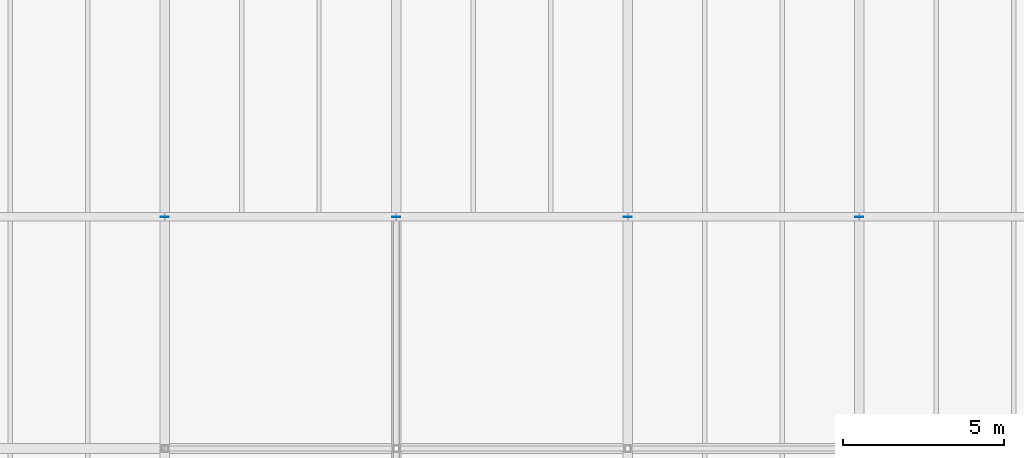
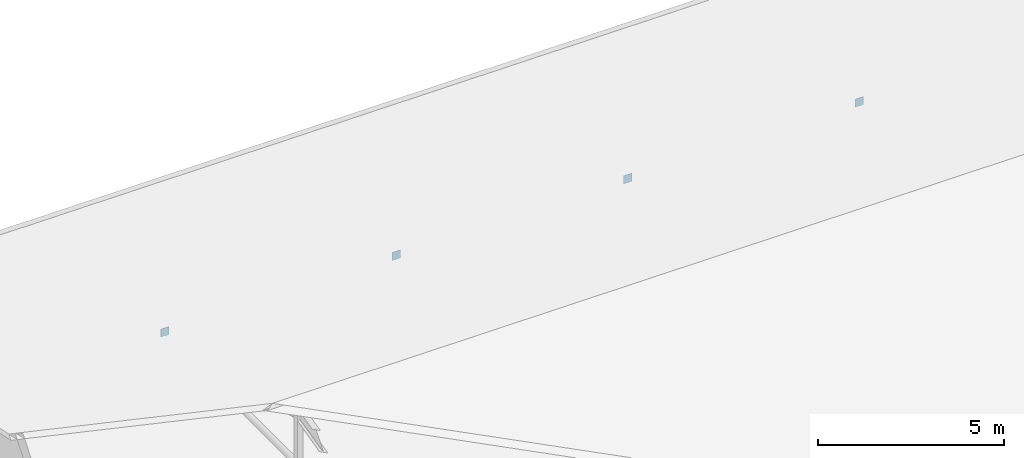
# One storey, part 41 of 66: 4 plates.
"""IFC4 building model written with IfcOpenShell, lengths in metres."""

from ifc_helpers import new_model, si_unit, direction, frame, origin, origin_2d, place, context, subcontext, project, spatial, rectangle, extrude, material, layer, layer_set, type_object, element, save


model = new_model("IFC4")

# Units and contexts
model_context = context("Model", 3, precision=1e-05, world=origin(), true_north=direction((0.0, 1.0)))
body_context = subcontext(model_context, "Body", "Model", "MODEL_VIEW")
ifc_project = project(units=[si_unit("LENGTHUNIT", "METRE"), si_unit("AREAUNIT", "SQUARE_METRE"), si_unit("VOLUMEUNIT", "CUBIC_METRE"), si_unit("PLANEANGLEUNIT", "RADIAN"), si_unit("MASSUNIT", "GRAM", prefix="KILO")], contexts=[model_context])

# Site, building, storey
site_placement = place(None, origin())
site = spatial("IfcSite", under=ifc_project, at=site_placement, CompositionType="ELEMENT")
building_placement = place(site_placement, origin())
building = spatial("IfcBuilding", under=site, at=building_placement, Name="Narikvali Park Central Library", CompositionType="ELEMENT")
storey_placement = place(building_placement, frame((0.0, 0.0, 18.60009765625)))
storey = spatial("IfcBuildingStorey", under=building, at=storey_placement, Name="L04", CompositionType="ELEMENT", Elevation=18.60009765625)

# Plates
ifc_material = material(Name="Steel S355", Category="steel")
ifc_layer = layer(ifc_material, 0.013916015625, Name="Steel S355")
ifc_layer_set = layer_set([ifc_layer], Name="Steel S355")
plate_type = type_object("IfcPlateType", Name="Steel Hollow End Cap Plate 14", PredefinedType="SHEET", material=ifc_layer_set)
for number, where, z_axis, x_axis, name in (
    (1, (129.60009765625, 21.60400390625, 1.6201171875), (0.0, 0.0, 1.0), (1.0, 0.0, 0.0), "Hollow Section Steel End Cap V6-CTCAP-N-1"),
    (2, (136.800048828125, 21.60400390625, 1.6201171875), (0.0, 0.0, 1.0), (1.0, 0.0, 0.0), "Hollow Section Steel End Cap V6-CTCAP-N-2"),
    (3, (144.0, 21.60400390625, 1.6201171875), (0.0, 0.0, 1.0), (1.0, 0.0, 0.0), "Hollow Section Steel End Cap V6-CTCAP-N-3"),
    (4, (151.199951171875, 21.60400390625, 1.6201171875), (0.0, 0.0, 1.0), (1.0, 0.0, 0.0), "Hollow Section Steel End Cap V6-CTCAP-N-4"),
):
    element("IfcPlate", number, at=place(storey_placement, frame(where, z_axis=z_axis, x_axis=x_axis)), inside=storey, type_object=plate_type, Name=name, PredefinedType="SHEET", context=body_context, shape_type="SweptSolid", body=[
        extrude(rectangle(XDim=0.260009765625, YDim=0.013916015625, at=origin_2d()), origin(), (0.0, 0.0, 1.0), 0.260009765625),
    ])

save(model, "model.ifc")
